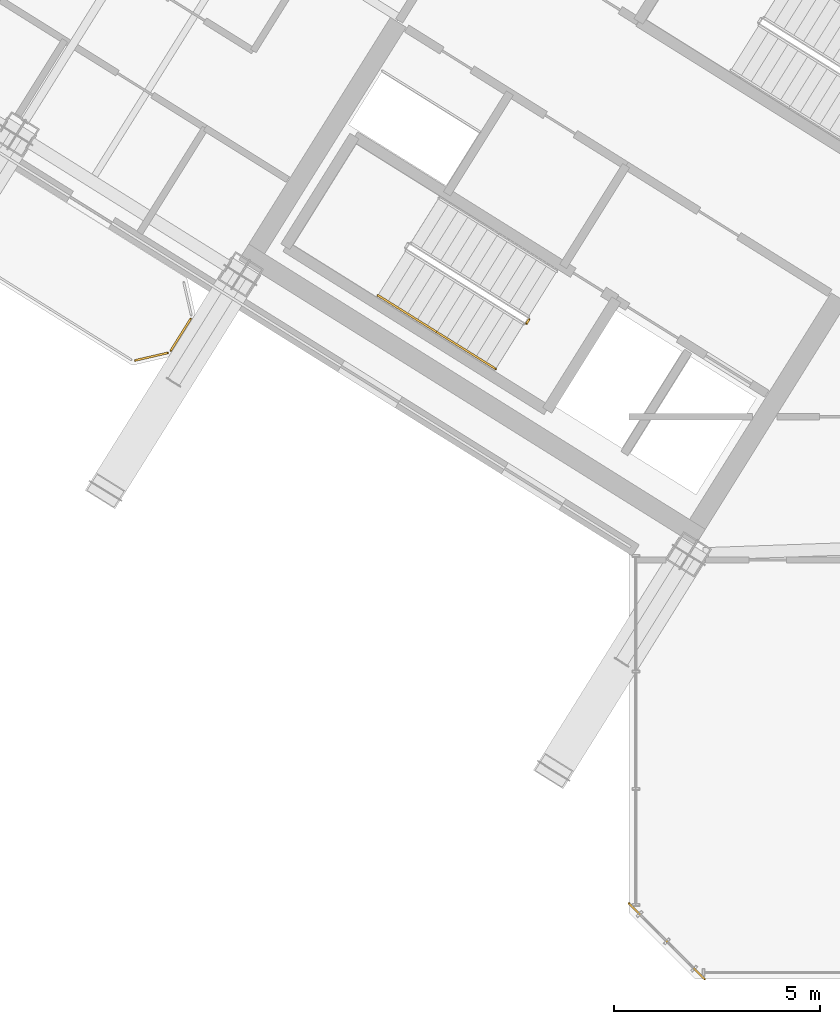
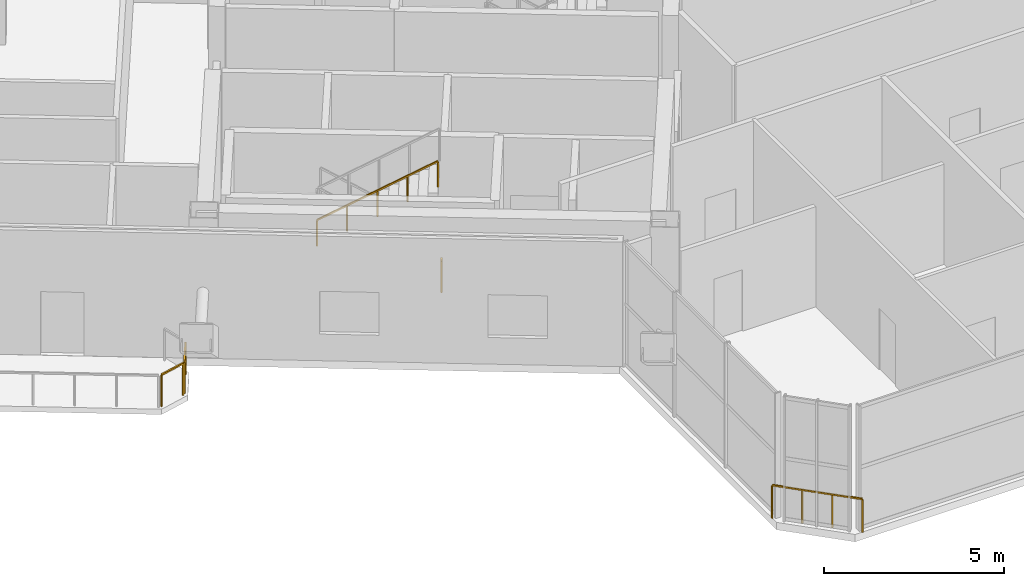
# One storey, part 28 of 34: 6 railings.
"""IFC4 building model written with IfcOpenShell, lengths in metres."""

from ifc_helpers import new_model, si_unit, direction, frame, origin, origin_2d, place, context, subcontext, project, spatial, rectangle, extrude, source, transform, mapped, material, type_object, element, save


model = new_model("IFC4")

# Units and contexts
model_context = context("Model", 3, precision=1e-05, world=origin(), true_north=direction((0.0, 1.0)))
body_context = subcontext(model_context, "Body", "Model", "MODEL_VIEW")
ifc_project = project(units=[si_unit("LENGTHUNIT", "METRE"), si_unit("AREAUNIT", "SQUARE_METRE"), si_unit("VOLUMEUNIT", "CUBIC_METRE"), si_unit("PLANEANGLEUNIT", "RADIAN"), si_unit("MASSUNIT", "GRAM", prefix="KILO")], contexts=[model_context])

# Site, building, storey
site_placement = place(None, origin())
site = spatial("IfcSite", under=ifc_project, at=site_placement, CompositionType="ELEMENT")
building_placement = place(site_placement, origin())
building = spatial("IfcBuilding", under=site, at=building_placement, Name="Tlacorven Tower", CompositionType="ELEMENT")
storey_placement = place(building_placement, frame((0.0, 0.0, 229.199951171875)))
storey = spatial("IfcBuildingStorey", under=building, at=storey_placement, Name="L58", CompositionType="ELEMENT", Elevation=229.199951171875)

# Railings
ifc_material = material(Name="Aluminium and painted steel balustrade", Category="steel")
railing_type_1 = type_object("IfcRailingType", Name="RL-BAL-1100", PredefinedType="BALUSTRADE", material=ifc_material)
shared_shape_1 = source(origin(), body_context, "Body", "SweptSolid", [
    extrude(rectangle(XDim=0.048095703125, YDim=0.048095703125, at=origin_2d()), frame((0.0, 0.0, 1.076171875), z_axis=(-0.52987865805, -0.848073468364, 0.0), x_axis=(0.848073468364, -0.52987865805, 0.0)), (0.0, 0.0, 1.0), 0.912353515625),
    extrude(rectangle(XDim=0.0419921875, YDim=0.0419921875, at=origin_2d()), origin(), (0.0, 0.0, 1.0), 1.052001953125),
    extrude(rectangle(XDim=0.0419921875, YDim=0.0419921875, at=origin_2d()), frame((-0.4833984375, -0.773681640625, 0.0)), (0.0, 0.0, 1.0), 1.052001953125),
])
railing_1_placement = place(storey_placement, frame((20.976318359375, 17.793701171875, 0.0)))
element("IfcRailing", 1, at=railing_1_placement, inside=storey, type_object=railing_type_1, Name="BAL-L58-W-OUT Guard Railing 2", PredefinedType="BALUSTRADE", context=body_context, shape_type="MappedRepresentation", body=[
    mapped(shared_shape_1, transform((0.0, 0.0, 0.0), scale=1.0)),
])
shared_shape_2 = source(origin(), body_context, "Body", "SweptSolid", [
    extrude(rectangle(XDim=0.048095703125, YDim=0.048095703125, at=origin_2d()), frame((0.0, 0.0, 1.076171875), z_axis=(-0.974345290916, -0.225058334816, 0.0), x_axis=(0.225058334816, -0.974345290916, 0.0)), (0.0, 0.0, 1.0), 0.80712890625),
    extrude(rectangle(XDim=0.0419921875, YDim=0.0419921875, at=origin_2d()), origin(), (0.0, 0.0, 1.0), 1.052001953125),
    extrude(rectangle(XDim=0.0419921875, YDim=0.0419921875, at=origin_2d()), frame((-0.786376953125, -0.181640625, 0.0)), (0.0, 0.0, 1.0), 1.052001953125),
])
railing_2_placement = place(storey_placement, frame((20.417724609375, 16.966552734375, 0.0)))
element("IfcRailing", 2, at=railing_2_placement, inside=storey, type_object=railing_type_1, Name="BAL-L58-W-OUT Guard Railing 3", PredefinedType="BALUSTRADE", context=body_context, shape_type="MappedRepresentation", body=[
    mapped(shared_shape_2, transform((0.0, 0.0, 0.0), scale=1.0)),
])
railing_type_2 = type_object("IfcRailingType", Name="RL-GRD-1150", PredefinedType="GUARDRAIL", material=ifc_material)
shared_shape_3 = source(origin(), body_context, "Body", "SweptSolid", [
    extrude(rectangle(XDim=0.048095703125, YDim=0.048095703125, at=origin_2d()), frame((0.0, 0.0, 1.1259765625), z_axis=(-0.707106781187, 0.707106781187, 0.0), x_axis=(-0.707106781187, -0.707106781187, 0.0)), (0.0, 0.0, 1.0), 2.590087890625),
    extrude(rectangle(XDim=0.0419921875, YDim=0.0419921875, at=origin_2d()), origin(), (0.0, 0.0, 1.0), 1.101806640625),
    extrude(rectangle(XDim=0.0419921875, YDim=0.0419921875, at=origin_2d()), frame((-0.610595703125, 0.610595703125, 0.0)), (0.0, 0.0, 1.0), 1.101806640625),
    extrude(rectangle(XDim=0.0419921875, YDim=0.0419921875, at=origin_2d()), frame((-1.220947265625, 1.220947265625, 0.0)), (0.0, 0.0, 1.0), 1.101806640625),
    extrude(rectangle(XDim=0.0419921875, YDim=0.0419921875, at=origin_2d()), frame((-1.83154296875, 1.83154296875, 0.0)), (0.0, 0.0, 1.0), 1.101806640625),
])
railing_3_placement = place(storey_placement, frame((33.428955078125, 1.79736328125, 0.0)))
element("IfcRailing", 3, at=railing_3_placement, inside=storey, type_object=railing_type_2, Name="L58 Knuckle Glazed Sill Guard 1", PredefinedType="GUARDRAIL", context=body_context, shape_type="MappedRepresentation", body=[
    mapped(shared_shape_3, transform((0.0, 0.0, 0.0), scale=1.0)),
])
railing_type_3 = type_object("IfcRailingType", Name="RL-GRD-1100", PredefinedType="GUARDRAIL", material=ifc_material)
shared_shape_4 = source(origin(), body_context, "Body", "SweptSolid", [
    extrude(rectangle(XDim=0.048095703125, YDim=0.048095703125, at=origin_2d()), frame((0.0, 0.0, 1.076171875), z_axis=(-0.529084052582, -0.848569422795, 0.0), x_axis=(0.848569422795, -0.529084052582, 0.0)), (0.0, 0.0, 1.0), 0.119873046875),
    extrude(rectangle(XDim=0.0419921875, YDim=0.0419921875, at=origin_2d()), origin(), (0.0, 0.0, 1.0), 1.052001953125),
    extrude(rectangle(XDim=0.0419921875, YDim=0.0419921875, at=origin_2d()), frame((-0.0634765625, -0.101806640625, 0.0)), (0.0, 0.0, 1.0), 1.052001953125),
])
railing_4_placement = place(storey_placement, frame((29.176513671875, 17.782958984375, 0.0)))
element("IfcRailing", 4, at=railing_4_placement, inside=storey, type_object=railing_type_3, Name="L58 ST-W1 stair guard 4", PredefinedType="GUARDRAIL", context=body_context, shape_type="MappedRepresentation", body=[
    mapped(shared_shape_4, transform((0.0, 0.0, 0.0), scale=1.0)),
])
railing_type_4 = type_object("IfcRailingType", Name="RL-HND-0900", PredefinedType="HANDRAIL", material=ifc_material)
shared_shape_5 = source(origin(), body_context, "Body", "SweptSolid", [
    extrude(rectangle(XDim=0.048095703125, YDim=0.048095703125, at=origin_2d()), frame((0.0, 0.0, 0.8759765625), z_axis=(0.721340775611, -0.4507761838, 0.52580254617), x_axis=(0.529946692594, 0.848030956397, 0.0)), (0.0, 0.0, 1.0), 1.97509765625),
    extrude(rectangle(XDim=0.0419921875, YDim=0.0419921875, at=origin_2d()), origin(), (0.0, 0.0, 1.0), 0.851806640625),
    extrude(rectangle(XDim=0.0419921875, YDim=0.0419921875, at=origin_2d()), frame((0.71240234375, -0.4453125, 0.519287109375)), (0.0, 0.0, 1.0), 0.851806640625),
    extrude(rectangle(XDim=0.0419921875, YDim=0.0419921875, at=origin_2d()), frame((1.4248046875, -0.890380859375, 1.03857421875)), (0.0, 0.0, 1.0), 0.851806640625),
])
railing_5_placement = place(storey_placement, frame((25.516357421875, 18.3603515625, 2.423095703125)))
element("IfcRailing", 5, at=railing_5_placement, inside=storey, type_object=railing_type_4, Name="L58 ST-W1 stair handrail 3", PredefinedType="HANDRAIL", context=body_context, shape_type="MappedRepresentation", body=[
    mapped(shared_shape_5, transform((0.0, 0.0, 0.0), scale=1.0)),
])
shared_shape_6 = source(origin(), body_context, "Body", "SweptSolid", [
    extrude(rectangle(XDim=0.048095703125, YDim=0.048095703125, at=origin_2d()), frame((0.0, 0.0, 0.8759765625), z_axis=(0.72136856386, -0.450747178035, 0.525789289134), x_axis=(0.529907487405, 0.848055455022, 0.0)), (0.0, 0.0, 1.0), 1.974853515625),
    extrude(rectangle(XDim=0.0419921875, YDim=0.0419921875, at=origin_2d()), origin(), (0.0, 0.0, 1.0), 0.851806640625),
    extrude(rectangle(XDim=0.0419921875, YDim=0.0419921875, at=origin_2d()), frame((0.71240234375, -0.445068359375, 0.51904296875)), (0.0, 0.0, 1.0), 0.851806640625),
    extrude(rectangle(XDim=0.0419921875, YDim=0.0419921875, at=origin_2d()), frame((1.424560546875, -0.89013671875, 1.038330078125)), (0.0, 0.0, 1.0), 0.851806640625),
])
railing_6_placement = place(storey_placement, frame((26.941162109375, 17.469970703125, 3.461669921875)))
element("IfcRailing", 6, at=railing_6_placement, inside=storey, type_object=railing_type_4, Name="L58 ST-W1 stair handrail 4", PredefinedType="HANDRAIL", context=body_context, shape_type="MappedRepresentation", body=[
    mapped(shared_shape_6, transform((0.0, 0.0, 0.0), scale=1.0)),
])

save(model, "model.ifc")
